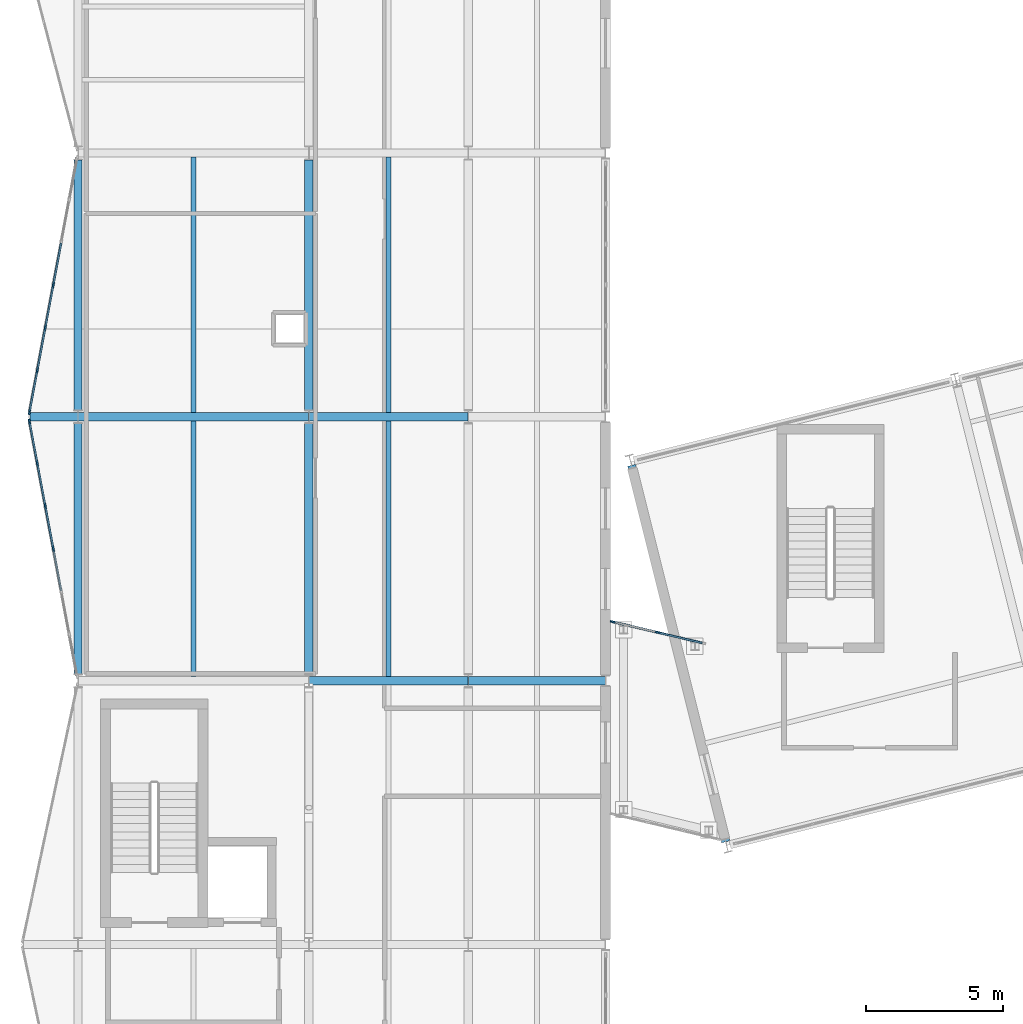
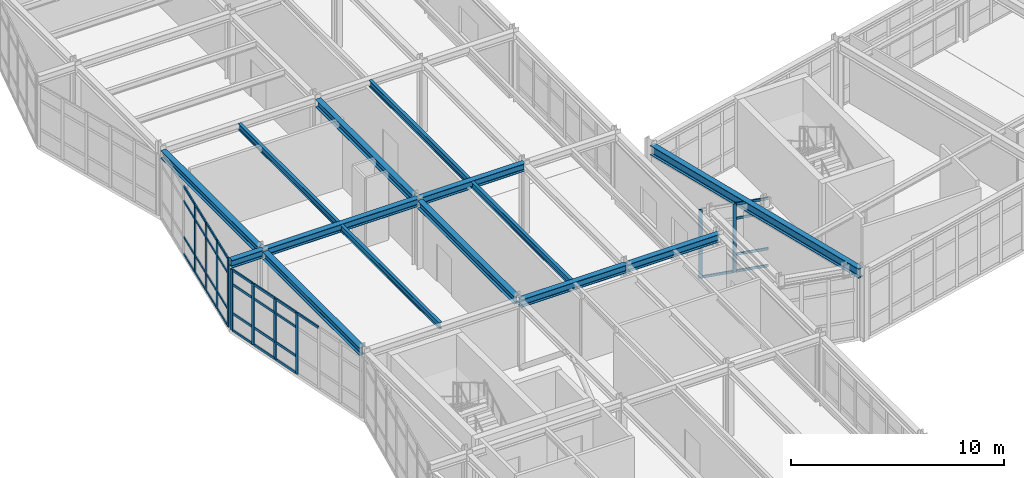
# One storey, part 17 of 88: 44 members, 14 beams, 3 elements without a shape of their own.
"""IFC4 building model written with IfcOpenShell, lengths in metres."""

from ifc_helpers import new_model, si_unit, direction, frame, origin, origin_2d, place, context, subcontext, project, spatial, rectangle, i_section, extrude, material, layer, layer_set, material_profile, profile_set, type_object, element, aggregate, save


model = new_model("IFC4")

# Units and contexts
model_context = context("Model", 3, precision=1e-05, world=origin(), true_north=direction((0.0, 1.0)))
body_context = subcontext(model_context, "Body", "Model", "MODEL_VIEW")
ifc_project = project(units=[si_unit("LENGTHUNIT", "METRE"), si_unit("AREAUNIT", "SQUARE_METRE"), si_unit("VOLUMEUNIT", "CUBIC_METRE"), si_unit("PLANEANGLEUNIT", "RADIAN"), si_unit("MASSUNIT", "GRAM", prefix="KILO")], contexts=[model_context])

# Site, building, storey
site_placement = place(None, origin())
site = spatial("IfcSite", under=ifc_project, at=site_placement, CompositionType="ELEMENT")
building_placement = place(site_placement, origin())
building = spatial("IfcBuilding", under=site, at=building_placement, Name="Nordkorset Police Headquarters", CompositionType="ELEMENT")
storey_placement = place(building_placement, frame((0.0, 0.0, 9.449951171875)))
storey = spatial("IfcBuildingStorey", under=building, at=storey_placement, Name="L02", CompositionType="ELEMENT", Elevation=9.449951171875)

# Beams
ifc_material_1 = material(Name="Steel S355J2", Category="steel")
ifc_material_profile_1 = material_profile(ifc_material_1, i_section(OverallWidth=0.169921875, OverallDepth=0.360107421875, WebThickness=0.008056640625, FlangeThickness=0.0126953125, FilletRadius=0.01806640625, at=origin_2d()), Name="IPE 360")
ifc_profile_set_1 = profile_set([ifc_material_profile_1], Name="Steel S355J2")
beam_type_1 = type_object("IfcBeamType", Name="Beam_IPE_360", PredefinedType="BEAM", material=ifc_profile_set_1)
for number, where, z_axis, x_axis, name in (
    (1, (4.199951171875, 48.14990234375, 3.7900390625), (0.0, 1.0, 0.0), (-1.0, 0.0, 0.0), "Composite Floor Beam V3 L02 0-2-1"),
    (2, (4.199951171875, 57.75, 3.7900390625), (0.0, 1.0, 0.0), (-1.0, 0.0, 0.0), "Composite Floor Beam V3 L02 0-3-1"),
    (3, (11.300048828125, 48.14990234375, 3.7900390625), (0.0, 1.0, 0.0), (-1.0, 0.0, 0.0), "Composite Floor Beam V3 L02 1-2-1"),
    (4, (11.300048828125, 57.75, 3.7900390625), (0.0, 1.0, 0.0), (-1.0, 0.0, 0.0), "Composite Floor Beam V3 L02 1-3-1"),
):
    element("IfcBeam", number, at=place(storey_placement, frame(where, z_axis=z_axis, x_axis=x_axis)), inside=storey, type_object=beam_type_1, Name=name, PredefinedType="BEAM", context=body_context, shape_type="SweptSolid", body=[
        extrude(i_section(OverallWidth=0.169921875, OverallDepth=0.360107421875, WebThickness=0.008056640625, FlangeThickness=0.0126953125, FilletRadius=0.01806640625, at=origin_2d()), origin(), (0.0, 0.0, 1.0), 9.300048828125),
    ])

# Curtain wall, members
ifc_material_2 = material(Name="Aluminium alloy AW-6060", Category="aluminium")
ifc_layer_1 = layer(ifc_material_2, 0.179931640625, Name="Aluminium alloy AW-6060")
ifc_layer_set_1 = layer_set([ifc_layer_1], Name="Aluminium alloy AW-6060")
curtain_wall_type_1 = type_object("IfcCurtainWallType", Name="CW_Unit_949x351", PredefinedType="USERDEFINED", material=ifc_layer_set_1)
curtain_wall_1_placement = place(storey_placement, origin())
curtain_wall_1 = element("IfcCurtainWall", 5, at=curtain_wall_1_placement, inside=storey, type_object=curtain_wall_type_1, Name="Unitised Curtain Wall L02 V3W-2", ObjectType="UNITISED CURTAIN WALL", PredefinedType="USERDEFINED")
ifc_material_3 = material(Name="Aluminium alloy AW-6060", Category="aluminium")
ifc_material_profile_2 = material_profile(ifc_material_3, rectangle(XDim=0.06494140625, YDim=0.179931640625, at=origin_2d()), Name="ALU MULL 65x180")
ifc_profile_set_2 = profile_set([ifc_material_profile_2], Name="Aluminium alloy AW-6060")
member_type_1 = type_object("IfcMemberType", Name="CW_Mullion_65x180", PredefinedType="MULLION", material=ifc_profile_set_2)
member_1_placement = place(storey_placement, frame((-0.89990234375, 52.800048828125, 0.0), z_axis=(0.0, 0.0, 1.0), x_axis=(-0.982872186935, -0.184288535048, 0.0)))
member_1 = element("IfcMember", 6, at=member_1_placement, type_object=member_type_1, Name="CW-32 mullion 4", PredefinedType="MULLION", context=body_context, shape_type="SweptSolid", body=[
    extrude(rectangle(XDim=0.06494140625, YDim=0.179931640625, at=origin_2d()), origin(), (0.0, 0.0, 1.0), 3.510009765625),
])
member_2_placement = place(storey_placement, frame((-1.19140625, 54.354248046875, 0.0), z_axis=(0.0, 0.0, 1.0), x_axis=(-0.982872186935, -0.184288535048, 0.0)))
member_2 = element("IfcMember", 7, at=member_2_placement, type_object=member_type_1, Name="CW-32 mullion 5", PredefinedType="MULLION", context=body_context, shape_type="SweptSolid", body=[
    extrude(rectangle(XDim=0.06494140625, YDim=0.179931640625, at=origin_2d()), origin(), (0.0, 0.0, 1.0), 3.510009765625),
])
member_3_placement = place(storey_placement, frame((-1.48291015625, 55.908203125, 0.0), z_axis=(0.0, 0.0, 1.0), x_axis=(-0.982872186935, -0.184288535048, 0.0)))
member_3 = element("IfcMember", 8, at=member_3_placement, type_object=member_type_1, Name="CW-32 mullion 6", PredefinedType="MULLION", context=body_context, shape_type="SweptSolid", body=[
    extrude(rectangle(XDim=0.06494140625, YDim=0.179931640625, at=origin_2d()), origin(), (0.0, 0.0, 1.0), 3.510009765625),
])
member_4_placement = place(storey_placement, frame((-1.768310546875, 57.430419921875, 0.0), z_axis=(0.0, 0.0, 1.0), x_axis=(-0.982872186935, -0.184288535048, 0.0)))
member_4 = element("IfcMember", 9, at=member_4_placement, type_object=member_type_1, Name="CW-32 mullion 7", PredefinedType="MULLION", context=body_context, shape_type="SweptSolid", body=[
    extrude(rectangle(XDim=0.06494140625, YDim=0.179931640625, at=origin_2d()), origin(), (0.0, 0.0, 1.0), 3.510009765625),
])

ifc_material_4 = material(Name="Aluminium alloy AW-6060", Category="aluminium")
ifc_layer_2 = layer(ifc_material_4, 0.179931640625, Name="Aluminium alloy AW-6060")
ifc_layer_set_2 = layer_set([ifc_layer_2], Name="Aluminium alloy AW-6060")
curtain_wall_type_2 = type_object("IfcCurtainWallType", Name="CW_Unit_949x392", PredefinedType="USERDEFINED", material=ifc_layer_set_2)
curtain_wall_2_placement = place(storey_placement, origin())
curtain_wall_2 = element("IfcCurtainWall", 10, at=curtain_wall_2_placement, inside=storey, type_object=curtain_wall_type_2, Name="Unitised Curtain Wall L02 V3W-3", ObjectType="UNITISED CURTAIN WALL", PredefinedType="USERDEFINED")
member_5_placement = place(storey_placement, frame((-1.768310546875, 57.76953125, 0.0), z_axis=(0.0, 0.0, 1.0), x_axis=(-0.982872186935, 0.184288535048, 0.0)))
member_5 = element("IfcMember", 11, at=member_5_placement, type_object=member_type_1, Name="CW-49 mullion 1", PredefinedType="MULLION", context=body_context, shape_type="SweptSolid", body=[
    extrude(rectangle(XDim=0.06494140625, YDim=0.179931640625, at=origin_2d()), origin(), (0.0, 0.0, 1.0), 3.920166015625),
])
member_6_placement = place(storey_placement, frame((-1.48291015625, 59.291748046875, 0.0), z_axis=(0.0, 0.0, 1.0), x_axis=(-0.982872186935, 0.184288535048, 0.0)))
member_6 = element("IfcMember", 12, at=member_6_placement, type_object=member_type_1, Name="CW-49 mullion 2", PredefinedType="MULLION", context=body_context, shape_type="SweptSolid", body=[
    extrude(rectangle(XDim=0.06494140625, YDim=0.179931640625, at=origin_2d()), origin(), (0.0, 0.0, 1.0), 3.920166015625),
])
member_7_placement = place(storey_placement, frame((-1.19140625, 60.845947265625, 0.0), z_axis=(0.0, 0.0, 1.0), x_axis=(-0.982872186935, 0.184288535048, 0.0)))
member_7 = element("IfcMember", 13, at=member_7_placement, type_object=member_type_1, Name="CW-49 mullion 3", PredefinedType="MULLION", context=body_context, shape_type="SweptSolid", body=[
    extrude(rectangle(XDim=0.06494140625, YDim=0.179931640625, at=origin_2d()), origin(), (0.0, 0.0, 1.0), 3.920166015625),
])
member_8_placement = place(storey_placement, frame((-0.89990234375, 62.39990234375, 0.0), z_axis=(0.0, 0.0, 1.0), x_axis=(-0.982872186935, 0.184288535048, 0.0)))
member_8 = element("IfcMember", 14, at=member_8_placement, type_object=member_type_1, Name="CW-49 mullion 4", PredefinedType="MULLION", context=body_context, shape_type="SweptSolid", body=[
    extrude(rectangle(XDim=0.06494140625, YDim=0.179931640625, at=origin_2d()), origin(), (0.0, 0.0, 1.0), 3.920166015625),
])

ifc_material_5 = material(Name="Aluminium alloy AW-6060", Category="aluminium")
ifc_layer_3 = layer(ifc_material_5, 0.179931640625, Name="Aluminium alloy AW-6060")
ifc_layer_set_3 = layer_set([ifc_layer_3], Name="Aluminium alloy AW-6060")
curtain_wall_type_3 = type_object("IfcCurtainWallType", Name="CW_Unit_344x392", PredefinedType="USERDEFINED", material=ifc_layer_set_3)
curtain_wall_3_placement = place(storey_placement, origin())
curtain_wall_3 = element("IfcCurtainWall", 15, at=curtain_wall_3_placement, inside=storey, type_object=curtain_wall_type_3, Name="Unitised Curtain Wall L02 BRGW-N", ObjectType="UNITISED CURTAIN WALL", PredefinedType="USERDEFINED")
member_9_placement = place(storey_placement, frame((19.456787109375, 50.141357421875, 0.0), z_axis=(0.0, 0.0, 1.0), x_axis=(0.228892896387, 0.973451612554, 0.0)))
member_9 = element("IfcMember", 16, at=member_9_placement, type_object=member_type_1, Name="CW-51 mullion 1", PredefinedType="MULLION", context=body_context, shape_type="SweptSolid", body=[
    extrude(rectangle(XDim=0.06494140625, YDim=0.179931640625, at=origin_2d()), origin(), (0.0, 0.0, 1.0), 3.920166015625),
])
member_10_placement = place(storey_placement, frame((21.10009765625, 49.7548828125, 0.0), z_axis=(0.0, 0.0, 1.0), x_axis=(0.228892896387, 0.973451612554, 0.0)))
member_10 = element("IfcMember", 17, at=member_10_placement, type_object=member_type_1, Name="CW-51 mullion 2", PredefinedType="MULLION", context=body_context, shape_type="SweptSolid", body=[
    extrude(rectangle(XDim=0.06494140625, YDim=0.179931640625, at=origin_2d()), origin(), (0.0, 0.0, 1.0), 3.920166015625),
])

# Member
ifc_material_6 = material(Name="Aluminium alloy AW-6060", Category="aluminium")
ifc_material_profile_3 = material_profile(ifc_material_6, rectangle(XDim=0.06494140625, YDim=0.139892578125, at=origin_2d()), Name="ALU TRAN 65x140")
ifc_profile_set_3 = profile_set([ifc_material_profile_3], Name="Aluminium alloy AW-6060")
member_type_2 = type_object("IfcMemberType", Name="CW_Transom_65x140", PredefinedType="USERDEFINED", material=ifc_profile_set_3)
member_11_placement = place(storey_placement, frame((-0.614501953125, 51.27783203125, 3.4775390625), z_axis=(-0.1843663095, 0.98285760104, 0.0), x_axis=(-0.98285760104, -0.1843663095, 0.0)))
member_11 = element("IfcMember", 18, at=member_11_placement, type_object=member_type_2, Name="CW-32 transom 3.4", ObjectType="TRANSOM", PredefinedType="USERDEFINED", context=body_context, shape_type="SweptSolid", body=[
    extrude(rectangle(XDim=0.06494140625, YDim=0.139892578125, at=origin_2d()), origin(), (0.0, 0.0, 1.0), 1.51611328125),
])

member_12_placement = place(storey_placement, frame((-0.906005859375, 52.83203125, 0.032470703125), z_axis=(-0.184210757138, 0.982886767107, 0.0), x_axis=(-0.982886767107, -0.184210757138, 0.0)))
member_12 = element("IfcMember", 19, at=member_12_placement, type_object=member_type_2, Name="CW-32 transom 4.1", ObjectType="TRANSOM", PredefinedType="USERDEFINED", context=body_context, shape_type="SweptSolid", body=[
    extrude(rectangle(XDim=0.06494140625, YDim=0.139892578125, at=origin_2d()), origin(), (0.0, 0.0, 1.0), 1.51611328125),
])

member_13_placement = place(storey_placement, frame((-0.906005859375, 52.83203125, 1.0), z_axis=(-0.184210757138, 0.982886767107, 0.0), x_axis=(-0.982886767107, -0.184210757138, 0.0)))
member_13 = element("IfcMember", 20, at=member_13_placement, type_object=member_type_2, Name="CW-32 transom 4.2", ObjectType="TRANSOM", PredefinedType="USERDEFINED", context=body_context, shape_type="SweptSolid", body=[
    extrude(rectangle(XDim=0.06494140625, YDim=0.139892578125, at=origin_2d()), origin(), (0.0, 0.0, 1.0), 1.51611328125),
])

member_14_placement = place(storey_placement, frame((-0.906005859375, 52.83203125, 2.66015625), z_axis=(-0.184210757138, 0.982886767107, 0.0), x_axis=(-0.982886767107, -0.184210757138, 0.0)))
member_14 = element("IfcMember", 21, at=member_14_placement, type_object=member_type_2, Name="CW-32 transom 4.3", ObjectType="TRANSOM", PredefinedType="USERDEFINED", context=body_context, shape_type="SweptSolid", body=[
    extrude(rectangle(XDim=0.06494140625, YDim=0.139892578125, at=origin_2d()), origin(), (0.0, 0.0, 1.0), 1.51611328125),
])

member_15_placement = place(storey_placement, frame((-0.906005859375, 52.83203125, 3.4775390625), z_axis=(-0.184210757138, 0.982886767107, 0.0), x_axis=(-0.982886767107, -0.184210757138, 0.0)))
member_15 = element("IfcMember", 22, at=member_15_placement, type_object=member_type_2, Name="CW-32 transom 4.4", ObjectType="TRANSOM", PredefinedType="USERDEFINED", context=body_context, shape_type="SweptSolid", body=[
    extrude(rectangle(XDim=0.06494140625, YDim=0.139892578125, at=origin_2d()), origin(), (0.0, 0.0, 1.0), 1.51611328125),
])

member_16_placement = place(storey_placement, frame((-1.197509765625, 54.385986328125, 0.032470703125), z_axis=(-0.184210757138, 0.982886767107, 0.0), x_axis=(-0.982886767107, -0.184210757138, 0.0)))
member_16 = element("IfcMember", 23, at=member_16_placement, type_object=member_type_2, Name="CW-32 transom 5.1", ObjectType="TRANSOM", PredefinedType="USERDEFINED", context=body_context, shape_type="SweptSolid", body=[
    extrude(rectangle(XDim=0.06494140625, YDim=0.139892578125, at=origin_2d()), origin(), (0.0, 0.0, 1.0), 1.51611328125),
])

member_17_placement = place(storey_placement, frame((-1.197509765625, 54.385986328125, 1.0), z_axis=(-0.184210757138, 0.982886767107, 0.0), x_axis=(-0.982886767107, -0.184210757138, 0.0)))
member_17 = element("IfcMember", 24, at=member_17_placement, type_object=member_type_2, Name="CW-32 transom 5.2", ObjectType="TRANSOM", PredefinedType="USERDEFINED", context=body_context, shape_type="SweptSolid", body=[
    extrude(rectangle(XDim=0.06494140625, YDim=0.139892578125, at=origin_2d()), origin(), (0.0, 0.0, 1.0), 1.51611328125),
])

member_18_placement = place(storey_placement, frame((-1.197509765625, 54.385986328125, 2.66015625), z_axis=(-0.184210757138, 0.982886767107, 0.0), x_axis=(-0.982886767107, -0.184210757138, 0.0)))
member_18 = element("IfcMember", 25, at=member_18_placement, type_object=member_type_2, Name="CW-32 transom 5.3", ObjectType="TRANSOM", PredefinedType="USERDEFINED", context=body_context, shape_type="SweptSolid", body=[
    extrude(rectangle(XDim=0.06494140625, YDim=0.139892578125, at=origin_2d()), origin(), (0.0, 0.0, 1.0), 1.51611328125),
])

member_19_placement = place(storey_placement, frame((-1.197509765625, 54.385986328125, 3.4775390625), z_axis=(-0.184210757138, 0.982886767107, 0.0), x_axis=(-0.982886767107, -0.184210757138, 0.0)))
member_19 = element("IfcMember", 26, at=member_19_placement, type_object=member_type_2, Name="CW-32 transom 5.4", ObjectType="TRANSOM", PredefinedType="USERDEFINED", context=body_context, shape_type="SweptSolid", body=[
    extrude(rectangle(XDim=0.06494140625, YDim=0.139892578125, at=origin_2d()), origin(), (0.0, 0.0, 1.0), 1.51611328125),
])

member_20_placement = place(storey_placement, frame((-1.48876953125, 55.940185546875, 0.032470703125), z_axis=(-0.184298470268, 0.982870324029, 0.0), x_axis=(-0.982870324029, -0.184298470268, 0.0)))
member_20 = element("IfcMember", 27, at=member_20_placement, type_object=member_type_2, Name="CW-32 transom 6.1", ObjectType="TRANSOM", PredefinedType="USERDEFINED", context=body_context, shape_type="SweptSolid", body=[
    extrude(rectangle(XDim=0.06494140625, YDim=0.139892578125, at=origin_2d()), origin(), (0.0, 0.0, 1.0), 1.483642578125),
])

member_21_placement = place(storey_placement, frame((-1.48876953125, 55.940185546875, 1.0), z_axis=(-0.184298470268, 0.982870324029, 0.0), x_axis=(-0.982870324029, -0.184298470268, 0.0)))
member_21 = element("IfcMember", 28, at=member_21_placement, type_object=member_type_2, Name="CW-32 transom 6.2", ObjectType="TRANSOM", PredefinedType="USERDEFINED", context=body_context, shape_type="SweptSolid", body=[
    extrude(rectangle(XDim=0.06494140625, YDim=0.139892578125, at=origin_2d()), origin(), (0.0, 0.0, 1.0), 1.483642578125),
])

member_22_placement = place(storey_placement, frame((-1.48876953125, 55.940185546875, 2.66015625), z_axis=(-0.184298470268, 0.982870324029, 0.0), x_axis=(-0.982870324029, -0.184298470268, 0.0)))
member_22 = element("IfcMember", 29, at=member_22_placement, type_object=member_type_2, Name="CW-32 transom 6.3", ObjectType="TRANSOM", PredefinedType="USERDEFINED", context=body_context, shape_type="SweptSolid", body=[
    extrude(rectangle(XDim=0.06494140625, YDim=0.139892578125, at=origin_2d()), origin(), (0.0, 0.0, 1.0), 1.483642578125),
])

member_23_placement = place(storey_placement, frame((-1.48876953125, 55.940185546875, 3.4775390625), z_axis=(-0.184298470268, 0.982870324029, 0.0), x_axis=(-0.982870324029, -0.184298470268, 0.0)))
member_23 = element("IfcMember", 30, at=member_23_placement, type_object=member_type_2, Name="CW-32 transom 6.4", ObjectType="TRANSOM", PredefinedType="USERDEFINED", context=body_context, shape_type="SweptSolid", body=[
    extrude(rectangle(XDim=0.06494140625, YDim=0.139892578125, at=origin_2d()), origin(), (0.0, 0.0, 1.0), 1.483642578125),
])

aggregate(curtain_wall_1, [member_1, member_2, member_3, member_4, member_11, member_12, member_13, member_14, member_15, member_16, member_17, member_18, member_19, member_20, member_21, member_22, member_23])

member_24_placement = place(storey_placement, frame((-1.76220703125, 57.801513671875, 0.032470703125), z_axis=(0.184298470268, 0.982870324029, 0.0), x_axis=(-0.982870324029, 0.184298470268, 0.0)))
member_24 = element("IfcMember", 31, at=member_24_placement, type_object=member_type_2, Name="CW-49 transom 1.1", ObjectType="TRANSOM", PredefinedType="USERDEFINED", context=body_context, shape_type="SweptSolid", body=[
    extrude(rectangle(XDim=0.06494140625, YDim=0.139892578125, at=origin_2d()), origin(), (0.0, 0.0, 1.0), 1.483642578125),
])

member_25_placement = place(storey_placement, frame((-1.76220703125, 57.801513671875, 1.0), z_axis=(0.184298470268, 0.982870324029, 0.0), x_axis=(-0.982870324029, 0.184298470268, 0.0)))
member_25 = element("IfcMember", 32, at=member_25_placement, type_object=member_type_2, Name="CW-49 transom 1.2", ObjectType="TRANSOM", PredefinedType="USERDEFINED", context=body_context, shape_type="SweptSolid", body=[
    extrude(rectangle(XDim=0.06494140625, YDim=0.139892578125, at=origin_2d()), origin(), (0.0, 0.0, 1.0), 1.483642578125),
])

member_26_placement = place(storey_placement, frame((-1.76220703125, 57.801513671875, 3.070068359375), z_axis=(0.184298470268, 0.982870324029, 0.0), x_axis=(-0.982870324029, 0.184298470268, 0.0)))
member_26 = element("IfcMember", 33, at=member_26_placement, type_object=member_type_2, Name="CW-49 transom 1.3", ObjectType="TRANSOM", PredefinedType="USERDEFINED", context=body_context, shape_type="SweptSolid", body=[
    extrude(rectangle(XDim=0.06494140625, YDim=0.139892578125, at=origin_2d()), origin(), (0.0, 0.0, 1.0), 1.483642578125),
])

member_27_placement = place(storey_placement, frame((-1.76220703125, 57.801513671875, 3.887451171875), z_axis=(0.184298470268, 0.982870324029, 0.0), x_axis=(-0.982870324029, 0.184298470268, 0.0)))
member_27 = element("IfcMember", 34, at=member_27_placement, type_object=member_type_2, Name="CW-49 transom 1.4", ObjectType="TRANSOM", PredefinedType="USERDEFINED", context=body_context, shape_type="SweptSolid", body=[
    extrude(rectangle(XDim=0.06494140625, YDim=0.139892578125, at=origin_2d()), origin(), (0.0, 0.0, 1.0), 1.483642578125),
])

member_28_placement = place(storey_placement, frame((-1.476806640625, 59.32373046875, 0.032470703125), z_axis=(0.184210757138, 0.982886767107, 0.0), x_axis=(-0.982886767107, 0.184210757138, 0.0)))
member_28 = element("IfcMember", 35, at=member_28_placement, type_object=member_type_2, Name="CW-49 transom 2.1", ObjectType="TRANSOM", PredefinedType="USERDEFINED", context=body_context, shape_type="SweptSolid", body=[
    extrude(rectangle(XDim=0.06494140625, YDim=0.139892578125, at=origin_2d()), origin(), (0.0, 0.0, 1.0), 1.51611328125),
])

member_29_placement = place(storey_placement, frame((-1.476806640625, 59.32373046875, 1.0), z_axis=(0.184210757138, 0.982886767107, 0.0), x_axis=(-0.982886767107, 0.184210757138, 0.0)))
member_29 = element("IfcMember", 36, at=member_29_placement, type_object=member_type_2, Name="CW-49 transom 2.2", ObjectType="TRANSOM", PredefinedType="USERDEFINED", context=body_context, shape_type="SweptSolid", body=[
    extrude(rectangle(XDim=0.06494140625, YDim=0.139892578125, at=origin_2d()), origin(), (0.0, 0.0, 1.0), 1.51611328125),
])

member_30_placement = place(storey_placement, frame((-1.476806640625, 59.32373046875, 3.070068359375), z_axis=(0.184210757138, 0.982886767107, 0.0), x_axis=(-0.982886767107, 0.184210757138, 0.0)))
member_30 = element("IfcMember", 37, at=member_30_placement, type_object=member_type_2, Name="CW-49 transom 2.3", ObjectType="TRANSOM", PredefinedType="USERDEFINED", context=body_context, shape_type="SweptSolid", body=[
    extrude(rectangle(XDim=0.06494140625, YDim=0.139892578125, at=origin_2d()), origin(), (0.0, 0.0, 1.0), 1.51611328125),
])

member_31_placement = place(storey_placement, frame((-1.476806640625, 59.32373046875, 3.887451171875), z_axis=(0.184210757138, 0.982886767107, 0.0), x_axis=(-0.982886767107, 0.184210757138, 0.0)))
member_31 = element("IfcMember", 38, at=member_31_placement, type_object=member_type_2, Name="CW-49 transom 2.4", ObjectType="TRANSOM", PredefinedType="USERDEFINED", context=body_context, shape_type="SweptSolid", body=[
    extrude(rectangle(XDim=0.06494140625, YDim=0.139892578125, at=origin_2d()), origin(), (0.0, 0.0, 1.0), 1.51611328125),
])

member_32_placement = place(storey_placement, frame((-1.185302734375, 60.8779296875, 0.032470703125), z_axis=(0.184210757138, 0.982886767107, 0.0), x_axis=(-0.982886767107, 0.184210757138, 0.0)))
member_32 = element("IfcMember", 39, at=member_32_placement, type_object=member_type_2, Name="CW-49 transom 3.1", ObjectType="TRANSOM", PredefinedType="USERDEFINED", context=body_context, shape_type="SweptSolid", body=[
    extrude(rectangle(XDim=0.06494140625, YDim=0.139892578125, at=origin_2d()), origin(), (0.0, 0.0, 1.0), 1.51611328125),
])

member_33_placement = place(storey_placement, frame((-1.185302734375, 60.8779296875, 1.0), z_axis=(0.184210757138, 0.982886767107, 0.0), x_axis=(-0.982886767107, 0.184210757138, 0.0)))
member_33 = element("IfcMember", 40, at=member_33_placement, type_object=member_type_2, Name="CW-49 transom 3.2", ObjectType="TRANSOM", PredefinedType="USERDEFINED", context=body_context, shape_type="SweptSolid", body=[
    extrude(rectangle(XDim=0.06494140625, YDim=0.139892578125, at=origin_2d()), origin(), (0.0, 0.0, 1.0), 1.51611328125),
])

member_34_placement = place(storey_placement, frame((-1.185302734375, 60.8779296875, 3.070068359375), z_axis=(0.184210757138, 0.982886767107, 0.0), x_axis=(-0.982886767107, 0.184210757138, 0.0)))
member_34 = element("IfcMember", 41, at=member_34_placement, type_object=member_type_2, Name="CW-49 transom 3.3", ObjectType="TRANSOM", PredefinedType="USERDEFINED", context=body_context, shape_type="SweptSolid", body=[
    extrude(rectangle(XDim=0.06494140625, YDim=0.139892578125, at=origin_2d()), origin(), (0.0, 0.0, 1.0), 1.51611328125),
])

member_35_placement = place(storey_placement, frame((-1.185302734375, 60.8779296875, 3.887451171875), z_axis=(0.184210757138, 0.982886767107, 0.0), x_axis=(-0.982886767107, 0.184210757138, 0.0)))
member_35 = element("IfcMember", 42, at=member_35_placement, type_object=member_type_2, Name="CW-49 transom 3.4", ObjectType="TRANSOM", PredefinedType="USERDEFINED", context=body_context, shape_type="SweptSolid", body=[
    extrude(rectangle(XDim=0.06494140625, YDim=0.139892578125, at=origin_2d()), origin(), (0.0, 0.0, 1.0), 1.51611328125),
])

member_36_placement = place(storey_placement, frame((-0.89404296875, 62.431884765625, 0.032470703125), z_axis=(0.1843663095, 0.98285760104, 0.0), x_axis=(-0.98285760104, 0.1843663095, 0.0)))
member_36 = element("IfcMember", 43, at=member_36_placement, type_object=member_type_2, Name="CW-49 transom 4.1", ObjectType="TRANSOM", PredefinedType="USERDEFINED", context=body_context, shape_type="SweptSolid", body=[
    extrude(rectangle(XDim=0.06494140625, YDim=0.139892578125, at=origin_2d()), origin(), (0.0, 0.0, 1.0), 1.51611328125),
])

member_37_placement = place(storey_placement, frame((-0.89404296875, 62.431884765625, 1.0), z_axis=(0.1843663095, 0.98285760104, 0.0), x_axis=(-0.98285760104, 0.1843663095, 0.0)))
member_37 = element("IfcMember", 44, at=member_37_placement, type_object=member_type_2, Name="CW-49 transom 4.2", ObjectType="TRANSOM", PredefinedType="USERDEFINED", context=body_context, shape_type="SweptSolid", body=[
    extrude(rectangle(XDim=0.06494140625, YDim=0.139892578125, at=origin_2d()), origin(), (0.0, 0.0, 1.0), 1.51611328125),
])

member_38_placement = place(storey_placement, frame((-0.89404296875, 62.431884765625, 3.070068359375), z_axis=(0.1843663095, 0.98285760104, 0.0), x_axis=(-0.98285760104, 0.1843663095, 0.0)))
member_38 = element("IfcMember", 45, at=member_38_placement, type_object=member_type_2, Name="CW-49 transom 4.3", ObjectType="TRANSOM", PredefinedType="USERDEFINED", context=body_context, shape_type="SweptSolid", body=[
    extrude(rectangle(XDim=0.06494140625, YDim=0.139892578125, at=origin_2d()), origin(), (0.0, 0.0, 1.0), 1.51611328125),
])

member_39_placement = place(storey_placement, frame((-0.89404296875, 62.431884765625, 3.887451171875), z_axis=(0.1843663095, 0.98285760104, 0.0), x_axis=(-0.98285760104, 0.1843663095, 0.0)))
member_39 = element("IfcMember", 46, at=member_39_placement, type_object=member_type_2, Name="CW-49 transom 4.4", ObjectType="TRANSOM", PredefinedType="USERDEFINED", context=body_context, shape_type="SweptSolid", body=[
    extrude(rectangle(XDim=0.06494140625, YDim=0.139892578125, at=origin_2d()), origin(), (0.0, 0.0, 1.0), 1.51611328125),
])

aggregate(curtain_wall_2, [member_5, member_6, member_7, member_8, member_24, member_25, member_26, member_27, member_28, member_29, member_30, member_31, member_32, member_33, member_34, member_35, member_36, member_37, member_38, member_39])

member_40_placement = place(storey_placement, frame((19.488525390625, 50.134033203125, 0.032470703125), z_axis=(0.973436893335, -0.228955486271, 0.0), x_axis=(0.228955486271, 0.973436893335, 0.0)))
member_40 = element("IfcMember", 47, at=member_40_placement, type_object=member_type_2, Name="CW-51 transom 1.1", ObjectType="TRANSOM", PredefinedType="USERDEFINED", context=body_context, shape_type="SweptSolid", body=[
    extrude(rectangle(XDim=0.06494140625, YDim=0.139892578125, at=origin_2d()), origin(), (0.0, 0.0, 1.0), 1.623046875),
])

member_41_placement = place(storey_placement, frame((21.131591796875, 49.74755859375, 0.032470703125), z_axis=(0.973436893335, -0.228955486271, 0.0), x_axis=(0.228955486271, 0.973436893335, 0.0)))
member_41 = element("IfcMember", 48, at=member_41_placement, type_object=member_type_2, Name="CW-51 transom 2.1", ObjectType="TRANSOM", PredefinedType="USERDEFINED", context=body_context, shape_type="SweptSolid", body=[
    extrude(rectangle(XDim=0.06494140625, YDim=0.139892578125, at=origin_2d()), origin(), (0.0, 0.0, 1.0), 1.623046875),
])

member_42_placement = place(storey_placement, frame((21.131591796875, 49.74755859375, 1.0), z_axis=(0.973436893335, -0.228955486271, 0.0), x_axis=(0.228955486271, 0.973436893335, 0.0)))
member_42 = element("IfcMember", 49, at=member_42_placement, type_object=member_type_2, Name="CW-51 transom 2.2", ObjectType="TRANSOM", PredefinedType="USERDEFINED", context=body_context, shape_type="SweptSolid", body=[
    extrude(rectangle(XDim=0.06494140625, YDim=0.139892578125, at=origin_2d()), origin(), (0.0, 0.0, 1.0), 1.623046875),
])

member_43_placement = place(storey_placement, frame((21.131591796875, 49.74755859375, 3.070068359375), z_axis=(0.973436893335, -0.228955486271, 0.0), x_axis=(0.228955486271, 0.973436893335, 0.0)))
member_43 = element("IfcMember", 50, at=member_43_placement, type_object=member_type_2, Name="CW-51 transom 2.3", ObjectType="TRANSOM", PredefinedType="USERDEFINED", context=body_context, shape_type="SweptSolid", body=[
    extrude(rectangle(XDim=0.06494140625, YDim=0.139892578125, at=origin_2d()), origin(), (0.0, 0.0, 1.0), 1.623046875),
])

member_44_placement = place(storey_placement, frame((21.131591796875, 49.74755859375, 3.887451171875), z_axis=(0.973436893335, -0.228955486271, 0.0), x_axis=(0.228955486271, 0.973436893335, 0.0)))
member_44 = element("IfcMember", 51, at=member_44_placement, type_object=member_type_2, Name="CW-51 transom 2.4", ObjectType="TRANSOM", PredefinedType="USERDEFINED", context=body_context, shape_type="SweptSolid", body=[
    extrude(rectangle(XDim=0.06494140625, YDim=0.139892578125, at=origin_2d()), origin(), (0.0, 0.0, 1.0), 1.623046875),
])

aggregate(curtain_wall_3, [member_9, member_10, member_40, member_41, member_42, member_43, member_44])

# Beams
ifc_material_7 = material(Name="Steel S355J2", Category="steel")
ifc_material_profile_4 = material_profile(ifc_material_7, i_section(OverallWidth=0.300048828125, OverallDepth=0.43994140625, WebThickness=0.011474609375, FlangeThickness=0.02099609375, FilletRadius=0.027099609375, at=origin_2d()), Name="HEA 450")
ifc_profile_set_4 = profile_set([ifc_material_profile_4], Name="Steel S355J2")
beam_type_2 = type_object("IfcBeamType", Name="Girder_HEA_450", PredefinedType="USERDEFINED", material=ifc_profile_set_4)
beam_1_placement = place(storey_placement, frame((8.4072265625, 48.0, 3.75), z_axis=(1.0, 0.0, 0.0), x_axis=(0.0, 1.0, 0.0)))
element("IfcBeam", 52, at=beam_1_placement, inside=storey, type_object=beam_type_2, Name="Girder V3 L02 GX-2-1", ObjectType="GIRDER", PredefinedType="USERDEFINED", context=body_context, shape_type="SweptSolid", body=[
    extrude(i_section(OverallWidth=0.300048828125, OverallDepth=0.43994140625, WebThickness=0.011474609375, FlangeThickness=0.02099609375, FilletRadius=0.027099609375, at=origin_2d()), origin(), (0.0, 0.0, 1.0), 5.785400390625),
])
beam_2_placement = place(storey_placement, frame((14.207275390625, 48.0, 3.75), z_axis=(1.0, 0.0, 0.0), x_axis=(0.0, 1.0, 0.0)))
element("IfcBeam", 53, at=beam_2_placement, inside=storey, type_object=beam_type_2, Name="Girder V3 L02 GX-2-2", ObjectType="GIRDER", PredefinedType="USERDEFINED", context=body_context, shape_type="SweptSolid", body=[
    extrude(i_section(OverallWidth=0.300048828125, OverallDepth=0.43994140625, WebThickness=0.011474609375, FlangeThickness=0.02099609375, FilletRadius=0.027099609375, at=origin_2d()), origin(), (0.0, 0.0, 1.0), 4.986083984375),
])
beam_3_placement = place(storey_placement, frame((0.00732421875, 57.60009765625, 3.75), z_axis=(1.0, 0.0, 0.0), x_axis=(0.0, 1.0, 0.0)))
element("IfcBeam", 54, at=beam_3_placement, inside=storey, type_object=beam_type_2, Name="Girder V3 L02 GX-3-0", ObjectType="GIRDER", PredefinedType="USERDEFINED", context=body_context, shape_type="SweptSolid", body=[
    extrude(i_section(OverallWidth=0.300048828125, OverallDepth=0.43994140625, WebThickness=0.011474609375, FlangeThickness=0.02099609375, FilletRadius=0.027099609375, at=origin_2d()), origin(), (0.0, 0.0, 1.0), 8.38525390625),
])
beam_4_placement = place(storey_placement, frame((8.4072265625, 57.60009765625, 3.75), z_axis=(1.0, 0.0, 0.0), x_axis=(0.0, 1.0, 0.0)))
element("IfcBeam", 55, at=beam_4_placement, inside=storey, type_object=beam_type_2, Name="Girder V3 L02 GX-3-1", ObjectType="GIRDER", PredefinedType="USERDEFINED", context=body_context, shape_type="SweptSolid", body=[
    extrude(i_section(OverallWidth=0.300048828125, OverallDepth=0.43994140625, WebThickness=0.011474609375, FlangeThickness=0.02099609375, FilletRadius=0.027099609375, at=origin_2d()), origin(), (0.0, 0.0, 1.0), 5.785400390625),
])
beam_5_placement = place(storey_placement, frame((0.0, 48.25, 3.75), z_axis=(0.0, 1.0, 0.0), x_axis=(-1.0, 0.0, 0.0)))
element("IfcBeam", 56, at=beam_5_placement, inside=storey, type_object=beam_type_2, Name="Girder V3 L02 GY-0-2", ObjectType="GIRDER", PredefinedType="USERDEFINED", context=body_context, shape_type="SweptSolid", body=[
    extrude(i_section(OverallWidth=0.300048828125, OverallDepth=0.43994140625, WebThickness=0.011474609375, FlangeThickness=0.02099609375, FilletRadius=0.027099609375, at=origin_2d()), origin(), (0.0, 0.0, 1.0), 9.10009765625),
])
beam_6_placement = place(storey_placement, frame((0.0, 57.85009765625, 3.75), z_axis=(0.0, 1.0, 0.0), x_axis=(-1.0, 0.0, 0.0)))
element("IfcBeam", 57, at=beam_6_placement, inside=storey, type_object=beam_type_2, Name="Girder V3 L02 GY-0-3", ObjectType="GIRDER", PredefinedType="USERDEFINED", context=body_context, shape_type="SweptSolid", body=[
    extrude(i_section(OverallWidth=0.300048828125, OverallDepth=0.43994140625, WebThickness=0.011474609375, FlangeThickness=0.02099609375, FilletRadius=0.027099609375, at=origin_2d()), origin(), (0.0, 0.0, 1.0), 9.099853515625),
])
beam_7_placement = place(storey_placement, frame((8.39990234375, 48.25, 3.75), z_axis=(0.0, 1.0, 0.0), x_axis=(-1.0, 0.0, 0.0)))
element("IfcBeam", 58, at=beam_7_placement, inside=storey, type_object=beam_type_2, Name="Girder V3 L02 GY-1-2", ObjectType="GIRDER", PredefinedType="USERDEFINED", context=body_context, shape_type="SweptSolid", body=[
    extrude(i_section(OverallWidth=0.300048828125, OverallDepth=0.43994140625, WebThickness=0.011474609375, FlangeThickness=0.02099609375, FilletRadius=0.027099609375, at=origin_2d()), origin(), (0.0, 0.0, 1.0), 9.10009765625),
])
beam_8_placement = place(storey_placement, frame((8.39990234375, 57.85009765625, 3.75), z_axis=(0.0, 1.0, 0.0), x_axis=(-1.0, 0.0, 0.0)))
element("IfcBeam", 59, at=beam_8_placement, inside=storey, type_object=beam_type_2, Name="Girder V3 L02 GY-1-3", ObjectType="GIRDER", PredefinedType="USERDEFINED", context=body_context, shape_type="SweptSolid", body=[
    extrude(i_section(OverallWidth=0.300048828125, OverallDepth=0.43994140625, WebThickness=0.011474609375, FlangeThickness=0.02099609375, FilletRadius=0.027099609375, at=origin_2d()), origin(), (0.0, 0.0, 1.0), 9.099853515625),
])
beam_9_placement = place(storey_placement, frame((-0.00732421875, 57.60009765625, 3.75), z_axis=(-1.0, 0.0, 0.0), x_axis=(0.0, -1.0, 0.0)))
element("IfcBeam", 60, at=beam_9_placement, inside=storey, type_object=beam_type_2, Name="Sawtooth Facade Outrigger V3 L02 57", ObjectType="GIRDER", PredefinedType="USERDEFINED", context=body_context, shape_type="SweptSolid", body=[
    extrude(i_section(OverallWidth=0.300048828125, OverallDepth=0.43994140625, WebThickness=0.011474609375, FlangeThickness=0.02099609375, FilletRadius=0.027099609375, at=origin_2d()), origin(), (0.0, 0.0, 1.0), 1.732666015625),
])
ifc_material_8 = material(Name="Steel S355J2", Category="steel")
ifc_material_profile_5 = material_profile(ifc_material_8, i_section(OverallWidth=0.300048828125, OverallDepth=0.5400390625, WebThickness=0.012451171875, FlangeThickness=0.02392578125, FilletRadius=0.027099609375, at=origin_2d()), Name="HEA 550")
ifc_profile_set_5 = profile_set([ifc_material_profile_5], Name="Steel S355J2")
beam_type_3 = type_object("IfcBeamType", Name="Girder_HEA_550", PredefinedType="USERDEFINED", material=ifc_profile_set_5)
beam_10_placement = place(storey_placement, frame((23.566162109375, 42.1357421875, 3.699951171875), z_axis=(-0.24254782991, 0.970139448845, 0.0), x_axis=(-0.970139448845, -0.24254782991, 0.0)))
element("IfcBeam", 61, at=beam_10_placement, inside=storey, type_object=beam_type_3, Name="Splayed Wing Transverse Girder L02 0", ObjectType="GIRDER", PredefinedType="USERDEFINED", context=body_context, shape_type="SweptSolid", body=[
    extrude(i_section(OverallWidth=0.300048828125, OverallDepth=0.5400390625, WebThickness=0.012451171875, FlangeThickness=0.02392578125, FilletRadius=0.027099609375, at=origin_2d()), origin(), (0.0, 0.0, 1.0), 14.1201171875),
])

save(model, "model.ifc")
